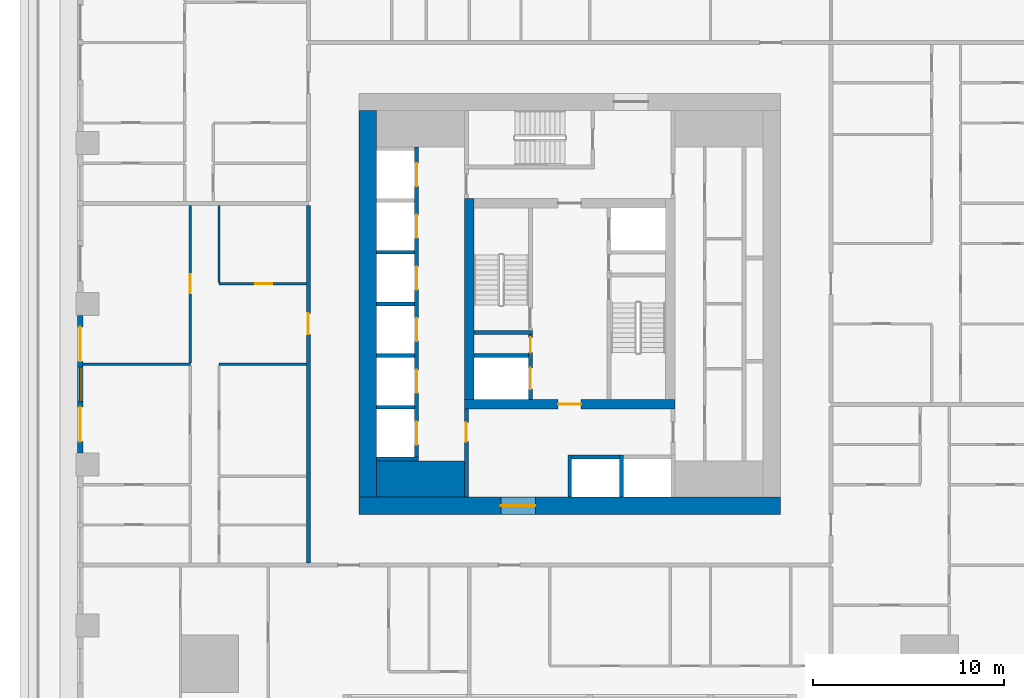
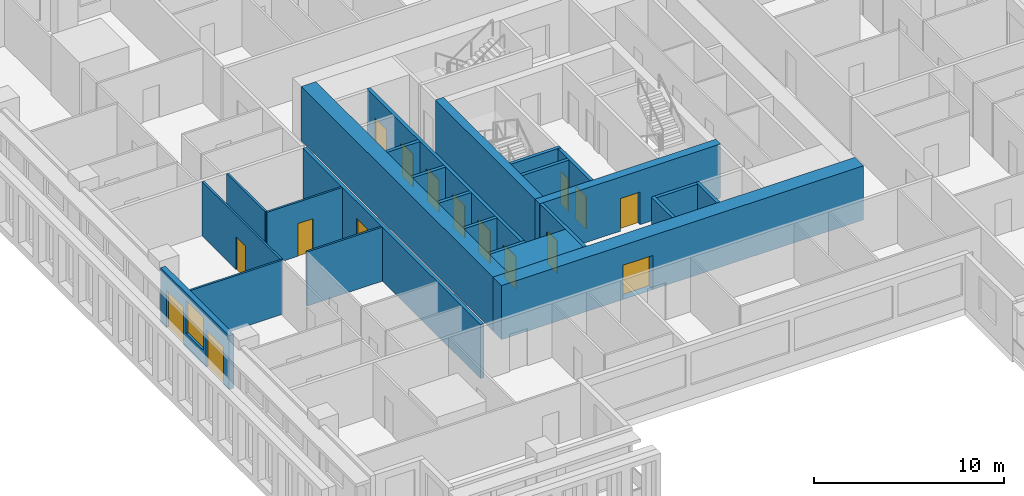
# One storey, part 3 of 14: 25 walls, 16 doors, 1 window, 17 openings.
"""IFC4 building model written with IfcOpenShell, lengths in metres."""

from ifc_helpers import new_model, si_unit, direction, frame, frame_2d, origin, place, context, subcontext, project, spatial, rectangle, extrude, material, layer, layer_set, type_object, element, fill, save


model = new_model("IFC4")

# Units and contexts
model_context = context("Model", 3, precision=1e-05, world=origin(), true_north=direction((0.0, 1.0)))
body_context = subcontext(model_context, "Body", "Model", "MODEL_VIEW")
ifc_project = project(units=[si_unit("LENGTHUNIT", "METRE"), si_unit("AREAUNIT", "SQUARE_METRE"), si_unit("VOLUMEUNIT", "CUBIC_METRE"), si_unit("PLANEANGLEUNIT", "RADIAN"), si_unit("MASSUNIT", "GRAM", prefix="KILO")], contexts=[model_context])

# Site, building, storey
site_placement = place(None, origin())
site = spatial("IfcSite", under=ifc_project, at=site_placement, CompositionType="ELEMENT")
building_placement = place(site_placement, origin())
building = spatial("IfcBuilding", under=site, at=building_placement, Name="Khepri Terraces", CompositionType="ELEMENT")
storey_placement = place(building_placement, frame((0.0, 0.0, 62.10009765625)))
storey = spatial("IfcBuildingStorey", under=building, at=storey_placement, Name="L14", CompositionType="ELEMENT", Elevation=62.10009765625)

# Walls
ifc_material_1 = material(Name="Concrete C80/95", Category="concrete")
ifc_layer_1 = layer(ifc_material_1, 1.89990234375, Name="Concrete C80/95", Category="concrete")
ifc_layer_set_1 = layer_set([ifc_layer_1], Name="Concrete C80/95")
wall_type_1 = type_object("IfcWallType", Name="Core wall 1900 C80/95", PredefinedType="SHEAR", material=ifc_layer_set_1)
wall_1_placement = place(storey_placement, frame((-10.10009765625, -9.14990234375, 0.0), z_axis=(0.0, 0.0, 1.0), x_axis=(1.0, 0.0, 0.0)))
element("IfcWall", 1, at=wall_1_placement, inside=storey, type_object=wall_type_1, Name="Core wall PR01 L14", PredefinedType="SHEAR", context=body_context, shape_type="SweptSolid", body=[
    extrude(rectangle(XDim=4.60009765625, YDim=1.89990234375, at=frame_2d((2.300048828125, 0.0))), origin(), (0.0, 0.0, 1.0), 3.47998046875),
])
ifc_layer_2 = layer(ifc_material_1, 0.199951171875, Name="Concrete C80/95", Category="concrete")
ifc_layer_set_2 = layer_set([ifc_layer_2], Name="Concrete C80/95")
wall_type_2 = type_object("IfcWallType", Name="Core wall 200 C80/95", PredefinedType="SHEAR", material=ifc_layer_set_2)
wall_2_placement = place(storey_placement, frame((-5.0, -1.5, 0.0), z_axis=(0.0, 0.0, 1.0), x_axis=(1.0, 0.0, 0.0)))
element("IfcWall", 2, at=wall_2_placement, inside=storey, type_object=wall_type_2, Name="Core wall ST02 L14", PredefinedType="SHEAR", context=body_context, shape_type="SweptSolid", body=[
    extrude(rectangle(XDim=3.050048828125, YDim=0.199951171875, at=frame_2d((1.52490234375, 0.0))), origin(), (0.0, 0.0, 1.0), 3.47998046875),
])
for number, where, z_axis, x_axis, name in (
    (3, (0.0, -10.10009765625, 0.0), (0.0, 0.0, 1.0), (0.0, 1.0, 0.0), "Core wall SH01 L14"),
    (4, (2.699951171875, -10.10009765625, 0.0), (0.0, 0.0, 1.0), (0.0, 1.0, 0.0), "Core wall SH02 L14"),
    (5, (-10.10009765625, -8.10009765625, 0.0), (0.0, 0.0, 1.0), (1.0, 0.0, 0.0), "Core wall SH04 L14"),
):
    element("IfcWall", number, at=place(storey_placement, frame(where, z_axis=z_axis, x_axis=x_axis)), inside=storey, type_object=wall_type_2, Name=name, PredefinedType="SHEAR", context=body_context, shape_type="SweptSolid", body=[
        extrude(rectangle(XDim=2.2001953125, YDim=0.199951171875, at=frame_2d((1.10009765625, 0.0))), origin(), (0.0, 0.0, 1.0), 3.47998046875),
    ])
wall_3_placement = place(storey_placement, frame((0.10009765625, -8.0, 0.0), z_axis=(0.0, 0.0, 1.0), x_axis=(1.0, 0.0, 0.0)))
element("IfcWall", 6, at=wall_3_placement, inside=storey, type_object=wall_type_2, Name="Core wall SH06 L14", PredefinedType="SHEAR", context=body_context, shape_type="SweptSolid", body=[
    extrude(rectangle(XDim=2.5, YDim=0.199951171875, at=frame_2d((1.25, 0.0))), origin(), (0.0, 0.0, 1.0), 3.47998046875),
])

# Wall, openings, doors
wall_4_placement = place(storey_placement, frame((-8.0, -8.0, 0.0), z_axis=(0.0, 0.0, 1.0), x_axis=(0.0, 1.0, 0.0)))
wall_4 = element("IfcWall", 7, at=wall_4_placement, inside=storey, type_object=wall_type_2, Name="Core wall SH08 L14", PredefinedType="SHEAR", context=body_context, shape_type="SweptSolid", body=[
    extrude(rectangle(XDim=16.199951171875, YDim=0.199951171875, at=frame_2d((8.10009765625, 0.0))), origin(), (0.0, 0.0, 1.0), 3.47998046875),
])
opening_1_placement = place(wall_4_placement, frame((0.64990234375, 0.0, 0.0)))
opening_1 = element("IfcOpeningElement", 8, at=opening_1_placement, cuts=wall_4, Name="Opening L14-C01", PredefinedType="OPENING", context=body_context, shape_type="SweptSolid", body=[
    extrude(rectangle(XDim=1.199951171875, YDim=2.10009765625, at=frame_2d((0.60009765625, 1.050048828125))), frame((0.0, 0.10986328125, 0.0), z_axis=(0.0, -1.0, 0.0), x_axis=(1.0, 0.0, 0.0)), (0.0, 0.0, 1.0), 0.219970703125),
])
opening_2_placement = place(wall_4_placement, frame((3.35009765625, 0.0, 0.0)))
opening_2 = element("IfcOpeningElement", 9, at=opening_2_placement, cuts=wall_4, Name="Opening L14-C02", PredefinedType="OPENING", context=body_context, shape_type="SweptSolid", body=[
    extrude(rectangle(XDim=1.199951171875, YDim=2.10009765625, at=frame_2d((0.60009765625, 1.050048828125))), frame((0.0, 0.10986328125, 0.0), z_axis=(0.0, -1.0, 0.0), x_axis=(1.0, 0.0, 0.0)), (0.0, 0.0, 1.0), 0.219970703125),
])
opening_3_placement = place(wall_4_placement, frame((6.050048828125, 0.0, 0.0)))
opening_3 = element("IfcOpeningElement", 10, at=opening_3_placement, cuts=wall_4, Name="Opening L14-C03", PredefinedType="OPENING", context=body_context, shape_type="SweptSolid", body=[
    extrude(rectangle(XDim=1.199951171875, YDim=2.10009765625, at=frame_2d((0.60009765625, 1.050048828125))), frame((0.0, 0.10986328125, 0.0), z_axis=(0.0, -1.0, 0.0), x_axis=(1.0, 0.0, 0.0)), (0.0, 0.0, 1.0), 0.219970703125),
])
opening_4_placement = place(wall_4_placement, frame((8.75, 0.0, 0.0)))
opening_4 = element("IfcOpeningElement", 11, at=opening_4_placement, cuts=wall_4, Name="Opening L14-C04", PredefinedType="OPENING", context=body_context, shape_type="SweptSolid", body=[
    extrude(rectangle(XDim=1.199951171875, YDim=2.10009765625, at=frame_2d((0.60009765625, 1.050048828125))), frame((0.0, 0.10986328125, 0.0), z_axis=(0.0, -1.0, 0.0), x_axis=(1.0, 0.0, 0.0)), (0.0, 0.0, 1.0), 0.219970703125),
])
opening_5_placement = place(wall_4_placement, frame((11.449951171875, 0.0, 0.0)))
opening_5 = element("IfcOpeningElement", 12, at=opening_5_placement, cuts=wall_4, Name="Opening L14-C05", PredefinedType="OPENING", context=body_context, shape_type="SweptSolid", body=[
    extrude(rectangle(XDim=1.199951171875, YDim=2.10009765625, at=frame_2d((0.60009765625, 1.050048828125))), frame((0.0, 0.10986328125, 0.0), z_axis=(0.0, -1.0, 0.0), x_axis=(1.0, 0.0, 0.0)), (0.0, 0.0, 1.0), 0.219970703125),
])
opening_6_placement = place(wall_4_placement, frame((14.14990234375, 0.0, 0.0)))
opening_6 = element("IfcOpeningElement", 13, at=opening_6_placement, cuts=wall_4, Name="Opening L14-C06", PredefinedType="OPENING", context=body_context, shape_type="SweptSolid", body=[
    extrude(rectangle(XDim=1.199951171875, YDim=2.10009765625, at=frame_2d((0.60009765625, 1.050048828125))), frame((0.0, 0.10986328125, 0.0), z_axis=(0.0, -1.0, 0.0), x_axis=(1.0, 0.0, 0.0)), (0.0, 0.0, 1.0), 0.219970703125),
])
ifc_material_2 = material(Name="Stainless steel 304", Category="steel")
door_type_1 = type_object("IfcDoorType", Name="DR-CORE-LANDING-1200", OperationType="NOTDEFINED", PredefinedType="DOOR", material=ifc_material_2)
door_1_placement = place(opening_1_placement, origin())
door_1 = element("IfcDoor", 14, at=door_1_placement, inside=storey, type_object=door_type_1, Name="Lift landing door L14-C01", OperationType="SLIDING_TO_LEFT", OverallHeight=2.10009765625, OverallWidth=1.199951171875, PredefinedType="DOOR", context=body_context, shape_type="SweptSolid", body=[
    extrude(rectangle(XDim=1.199951171875, YDim=2.10009765625, at=frame_2d((0.60009765625, 1.050048828125))), frame((0.0, 0.02490234375, 0.0), z_axis=(0.0, -1.0, 0.0), x_axis=(1.0, 0.0, 0.0)), (0.0, 0.0, 1.0), 0.050048828125),
])
fill(opening_1, door_1)
door_2_placement = place(opening_2_placement, origin())
door_2 = element("IfcDoor", 15, at=door_2_placement, inside=storey, type_object=door_type_1, Name="Lift landing door L14-C02", OperationType="SLIDING_TO_LEFT", OverallHeight=2.10009765625, OverallWidth=1.199951171875, PredefinedType="DOOR", context=body_context, shape_type="SweptSolid", body=[
    extrude(rectangle(XDim=1.199951171875, YDim=2.10009765625, at=frame_2d((0.60009765625, 1.050048828125))), frame((0.0, 0.02490234375, 0.0), z_axis=(0.0, -1.0, 0.0), x_axis=(1.0, 0.0, 0.0)), (0.0, 0.0, 1.0), 0.050048828125),
])
fill(opening_2, door_2)
door_3_placement = place(opening_3_placement, origin())
door_3 = element("IfcDoor", 16, at=door_3_placement, inside=storey, type_object=door_type_1, Name="Lift landing door L14-C03", OperationType="SLIDING_TO_LEFT", OverallHeight=2.10009765625, OverallWidth=1.199951171875, PredefinedType="DOOR", context=body_context, shape_type="SweptSolid", body=[
    extrude(rectangle(XDim=1.199951171875, YDim=2.10009765625, at=frame_2d((0.60009765625, 1.050048828125))), frame((0.0, 0.02490234375, 0.0), z_axis=(0.0, -1.0, 0.0), x_axis=(1.0, 0.0, 0.0)), (0.0, 0.0, 1.0), 0.050048828125),
])
fill(opening_3, door_3)
door_4_placement = place(opening_4_placement, origin())
door_4 = element("IfcDoor", 17, at=door_4_placement, inside=storey, type_object=door_type_1, Name="Lift landing door L14-C04", OperationType="SLIDING_TO_LEFT", OverallHeight=2.10009765625, OverallWidth=1.199951171875, PredefinedType="DOOR", context=body_context, shape_type="SweptSolid", body=[
    extrude(rectangle(XDim=1.199951171875, YDim=2.10009765625, at=frame_2d((0.60009765625, 1.050048828125))), frame((0.0, 0.02490234375, 0.0), z_axis=(0.0, -1.0, 0.0), x_axis=(1.0, 0.0, 0.0)), (0.0, 0.0, 1.0), 0.050048828125),
])
fill(opening_4, door_4)
door_5_placement = place(opening_5_placement, origin())
door_5 = element("IfcDoor", 18, at=door_5_placement, inside=storey, type_object=door_type_1, Name="Lift landing door L14-C05", OperationType="SLIDING_TO_LEFT", OverallHeight=2.10009765625, OverallWidth=1.199951171875, PredefinedType="DOOR", context=body_context, shape_type="SweptSolid", body=[
    extrude(rectangle(XDim=1.199951171875, YDim=2.10009765625, at=frame_2d((0.60009765625, 1.050048828125))), frame((0.0, 0.02490234375, 0.0), z_axis=(0.0, -1.0, 0.0), x_axis=(1.0, 0.0, 0.0)), (0.0, 0.0, 1.0), 0.050048828125),
])
fill(opening_5, door_5)
door_6_placement = place(opening_6_placement, origin())
door_6 = element("IfcDoor", 19, at=door_6_placement, inside=storey, type_object=door_type_1, Name="Lift landing door L14-C06", OperationType="SLIDING_TO_LEFT", OverallHeight=2.10009765625, OverallWidth=1.199951171875, PredefinedType="DOOR", context=body_context, shape_type="SweptSolid", body=[
    extrude(rectangle(XDim=1.199951171875, YDim=2.10009765625, at=frame_2d((0.60009765625, 1.050048828125))), frame((0.0, 0.02490234375, 0.0), z_axis=(0.0, -1.0, 0.0), x_axis=(1.0, 0.0, 0.0)), (0.0, 0.0, 1.0), 0.050048828125),
])
fill(opening_6, door_6)

# Wall
wall_5_placement = place(storey_placement, frame((-10.10009765625, -5.39990234375, 0.0), z_axis=(0.0, 0.0, 1.0), x_axis=(1.0, 0.0, 0.0)))
element("IfcWall", 20, at=wall_5_placement, inside=storey, type_object=wall_type_2, Name="Core wall SH09 L14", PredefinedType="SHEAR", context=body_context, shape_type="SweptSolid", body=[
    extrude(rectangle(XDim=2.0, YDim=0.199951171875, at=frame_2d((1.0, 0.0))), origin(), (0.0, 0.0, 1.0), 3.47998046875),
])

# Wall, openings, doors
wall_6_placement = place(storey_placement, frame((-2.050048828125, -5.0, 0.0), z_axis=(0.0, 0.0, 1.0), x_axis=(0.0, 1.0, 0.0)))
wall_6 = element("IfcWall", 21, at=wall_6_placement, inside=storey, type_object=wall_type_2, Name="Core wall SH10 L14", PredefinedType="SHEAR", context=body_context, shape_type="SweptSolid", body=[
    extrude(rectangle(XDim=3.39990234375, YDim=0.199951171875, at=frame_2d((1.699951171875, 0.0))), origin(), (0.0, 0.0, 1.0), 3.47998046875),
])
opening_7_placement = place(wall_6_placement, frame((0.550048828125, 0.0, 0.0)))
opening_7 = element("IfcOpeningElement", 22, at=opening_7_placement, cuts=wall_6, Name="Opening L14-C08", PredefinedType="OPENING", context=body_context, shape_type="SweptSolid", body=[
    extrude(rectangle(XDim=1.10009765625, YDim=2.10009765625, at=frame_2d((0.550048828125, 1.050048828125))), frame((0.0, 0.10986328125, 0.0), z_axis=(0.0, -1.0, 0.0), x_axis=(1.0, 0.0, 0.0)), (0.0, 0.0, 1.0), 0.219970703125),
])
opening_8_placement = place(wall_6_placement, frame((2.449951171875, 0.0, 0.0)))
opening_8 = element("IfcOpeningElement", 23, at=opening_8_placement, cuts=wall_6, Name="Opening L14-C12", PredefinedType="OPENING", context=body_context, shape_type="SweptSolid", body=[
    extrude(rectangle(XDim=0.800048828125, YDim=2.10009765625, at=frame_2d((0.39990234375, 1.050048828125))), frame((0.0, 0.10986328125, 0.0), z_axis=(0.0, -1.0, 0.0), x_axis=(1.0, 0.0, 0.0)), (0.0, 0.0, 1.0), 0.219970703125),
])
door_type_2 = type_object("IfcDoorType", Name="DR-CORE-FF-LANDING-1100", OperationType="NOTDEFINED", PredefinedType="DOOR", material=ifc_material_2)
door_7_placement = place(opening_7_placement, origin())
door_7 = element("IfcDoor", 24, at=door_7_placement, inside=storey, type_object=door_type_2, Name="Firefighting lift landing door L14-C08", OperationType="SLIDING_TO_LEFT", OverallHeight=2.10009765625, OverallWidth=1.10009765625, PredefinedType="DOOR", context=body_context, shape_type="SweptSolid", body=[
    extrude(rectangle(XDim=1.10009765625, YDim=2.10009765625, at=frame_2d((0.550048828125, 1.050048828125))), frame((0.0, 0.02490234375, 0.0), z_axis=(0.0, -1.0, 0.0), x_axis=(1.0, 0.0, 0.0)), (0.0, 0.0, 1.0), 0.050048828125),
])
fill(opening_7, door_7)
ifc_material_3 = material(Name="Painted steel", Category="steel")
door_type_3 = type_object("IfcDoorType", Name="DR-CORE-RISER-800", OperationType="NOTDEFINED", PredefinedType="DOOR", material=ifc_material_3)
door_8_placement = place(opening_8_placement, origin())
door_8 = element("IfcDoor", 25, at=door_8_placement, inside=storey, type_object=door_type_3, Name="Riser door L14-C12", OperationType="SINGLE_SWING_RIGHT", OverallHeight=2.10009765625, OverallWidth=0.800048828125, PredefinedType="DOOR", context=body_context, shape_type="SweptSolid", body=[
    extrude(rectangle(XDim=0.800048828125, YDim=2.10009765625, at=frame_2d((0.39990234375, 1.050048828125))), frame((0.0, 0.02490234375, 0.0), z_axis=(0.0, -1.0, 0.0), x_axis=(1.0, 0.0, 0.0)), (0.0, 0.0, 1.0), 0.050048828125),
])
fill(opening_8, door_8)

# Walls
wall_7_placement = place(storey_placement, frame((-10.10009765625, -2.699951171875, 0.0), z_axis=(0.0, 0.0, 1.0), x_axis=(1.0, 0.0, 0.0)))
element("IfcWall", 26, at=wall_7_placement, inside=storey, type_object=wall_type_2, Name="Core wall SH12 L14", PredefinedType="SHEAR", context=body_context, shape_type="SweptSolid", body=[
    extrude(rectangle(XDim=2.0, YDim=0.199951171875, at=frame_2d((1.0, 0.0))), origin(), (0.0, 0.0, 1.0), 3.47998046875),
])
wall_8_placement = place(storey_placement, frame((-5.0, -2.699951171875, 0.0), z_axis=(0.0, 0.0, 1.0), x_axis=(1.0, 0.0, 0.0)))
element("IfcWall", 27, at=wall_8_placement, inside=storey, type_object=wall_type_2, Name="Core wall SH13 L14", PredefinedType="SHEAR", context=body_context, shape_type="SweptSolid", body=[
    extrude(rectangle(XDim=2.85009765625, YDim=0.199951171875, at=frame_2d((1.425048828125, 0.0))), origin(), (0.0, 0.0, 1.0), 3.47998046875),
])
for number, where, z_axis, x_axis, name in (
    (28, (-10.10009765625, 0.0, 0.0), (0.0, 0.0, 1.0), (1.0, 0.0, 0.0), "Core wall SH14 L14"),
    (29, (-10.10009765625, 2.699951171875, 0.0), (0.0, 0.0, 1.0), (1.0, 0.0, 0.0), "Core wall SH17 L14"),
):
    element("IfcWall", number, at=place(storey_placement, frame(where, z_axis=z_axis, x_axis=x_axis)), inside=storey, type_object=wall_type_2, Name=name, PredefinedType="SHEAR", context=body_context, shape_type="SweptSolid", body=[
        extrude(rectangle(XDim=2.0, YDim=0.199951171875, at=frame_2d((1.0, 0.0))), origin(), (0.0, 0.0, 1.0), 3.47998046875),
    ])

# Wall, opening, door
ifc_layer_3 = layer(ifc_material_1, 0.5, Name="Concrete C80/95", Category="concrete")
ifc_layer_set_3 = layer_set([ifc_layer_3], Name="Concrete C80/95")
wall_type_3 = type_object("IfcWallType", Name="Core wall 500 C80/95", PredefinedType="SHEAR", material=ifc_layer_set_3)
wall_9_placement = place(storey_placement, frame((-5.5, -5.25, 0.0), z_axis=(0.0, 0.0, 1.0), x_axis=(1.0, 0.0, 0.0)))
wall_9 = element("IfcWall", 30, at=wall_9_placement, inside=storey, type_object=wall_type_3, Name="Core wall BX01 L14", PredefinedType="SHEAR", context=body_context, shape_type="SweptSolid", body=[
    extrude(rectangle(XDim=11.0, YDim=0.5, at=frame_2d((5.5, 0.0))), origin(), (0.0, 0.0, 1.0), 3.47998046875),
])
opening_9_placement = place(wall_9_placement, frame((4.89990234375, 0.0, 0.0)))
opening_9 = element("IfcOpeningElement", 31, at=opening_9_placement, cuts=wall_9, Name="Opening L14-C14", PredefinedType="OPENING", context=body_context, shape_type="SweptSolid", body=[
    extrude(rectangle(XDim=1.199951171875, YDim=2.10009765625, at=frame_2d((0.60009765625, 1.050048828125))), frame((0.0, 0.260009765625, 0.0), z_axis=(0.0, -1.0, 0.0), x_axis=(1.0, 0.0, 0.0)), (0.0, 0.0, 1.0), 0.52001953125),
])
door_type_4 = type_object("IfcDoorType", Name="DR-CORE-FF-LOBBY-1200", OperationType="NOTDEFINED", PredefinedType="DOOR", material=ifc_material_3)
door_9_placement = place(opening_9_placement, origin())
door_9 = element("IfcDoor", 32, at=door_9_placement, inside=storey, type_object=door_type_4, Name="Firefighting lobby door L14-C14", OperationType="SINGLE_SWING_RIGHT", OverallHeight=2.10009765625, OverallWidth=1.199951171875, PredefinedType="DOOR", context=body_context, shape_type="SweptSolid", body=[
    extrude(rectangle(XDim=1.199951171875, YDim=2.10009765625, at=frame_2d((0.60009765625, 1.050048828125))), frame((0.0, 0.02490234375, 0.0), z_axis=(0.0, -1.0, 0.0), x_axis=(1.0, 0.0, 0.0)), (0.0, 0.0, 1.0), 0.050048828125),
])
fill(opening_9, door_9)

# Wall
wall_10_placement = place(storey_placement, frame((-5.25, -5.0, 0.0), z_axis=(0.0, 0.0, 1.0), x_axis=(0.0, 1.0, 0.0)))
element("IfcWall", 33, at=wall_10_placement, inside=storey, type_object=wall_type_3, Name="Core wall BX02 L14", PredefinedType="SHEAR", context=body_context, shape_type="SweptSolid", body=[
    extrude(rectangle(XDim=10.5, YDim=0.5, at=frame_2d((5.25, 0.0))), origin(), (0.0, 0.0, 1.0), 3.47998046875),
])

# Wall, opening, door
ifc_layer_4 = layer(ifc_material_1, 0.89990234375, Name="Concrete C80/95", Category="concrete")
ifc_layer_set_4 = layer_set([ifc_layer_4], Name="Concrete C80/95")
wall_type_4 = type_object("IfcWallType", Name="Core wall 900 C80/95", PredefinedType="SHEAR", material=ifc_layer_set_4)
wall_11_placement = place(storey_placement, frame((-11.0, -10.550048828125, 0.0), z_axis=(0.0, 0.0, 1.0), x_axis=(1.0, 0.0, 0.0)))
wall_11 = element("IfcWall", 34, at=wall_11_placement, inside=storey, type_object=wall_type_4, Name="Core wall OW-S L14", PredefinedType="SHEAR", context=body_context, shape_type="SweptSolid", body=[
    extrude(rectangle(XDim=22.0, YDim=0.89990234375, at=frame_2d((11.0, 0.0))), origin(), (0.0, 0.0, 1.0), 3.47998046875),
])
opening_10_placement = place(wall_11_placement, frame((7.39990234375, 0.0, 0.0)))
opening_10 = element("IfcOpeningElement", 35, at=opening_10_placement, cuts=wall_11, Name="Opening L14-C21", PredefinedType="OPENING", context=body_context, shape_type="SweptSolid", body=[
    extrude(rectangle(XDim=1.800048828125, YDim=2.199951171875, at=frame_2d((0.89990234375, 1.10009765625))), frame((0.0, 0.4599609375, 0.0), z_axis=(0.0, -1.0, 0.0), x_axis=(1.0, 0.0, 0.0)), (0.0, 0.0, 1.0), 0.919921875),
])
door_type_5 = type_object("IfcDoorType", Name="DR-CORE-ENTRANCE-1800", OperationType="NOTDEFINED", PredefinedType="DOOR", material=ifc_material_3)
door_10_placement = place(opening_10_placement, frame((1.800048828125, 0.0, 0.0), z_axis=(0.0, 0.0, 1.0), x_axis=(-1.0, 0.0, 0.0)))
door_10 = element("IfcDoor", 36, at=door_10_placement, inside=storey, type_object=door_type_5, Name="Core entrance door pair L14-C21", OperationType="DOUBLE_DOOR_SINGLE_SWING", OverallHeight=2.199951171875, OverallWidth=1.800048828125, PredefinedType="DOOR", context=body_context, shape_type="SweptSolid", body=[
    extrude(rectangle(XDim=1.800048828125, YDim=2.199951171875, at=frame_2d((0.89990234375, 1.10009765625))), frame((0.0, 0.02490234375, 0.0), z_axis=(0.0, -1.0, 0.0), x_axis=(1.0, 0.0, 0.0)), (0.0, 0.0, 1.0), 0.050048828125),
])
fill(opening_10, door_10)

# Wall
wall_12_placement = place(storey_placement, frame((-10.550048828125, -10.10009765625, 0.0), z_axis=(0.0, 0.0, 1.0), x_axis=(0.0, 1.0, 0.0)))
element("IfcWall", 37, at=wall_12_placement, inside=storey, type_object=wall_type_4, Name="Core wall OW-W L14", PredefinedType="SHEAR", context=body_context, shape_type="SweptSolid", body=[
    extrude(rectangle(XDim=20.2001953125, YDim=0.89990234375, at=frame_2d((10.10009765625, 0.0))), origin(), (0.0, 0.0, 1.0), 3.47998046875),
])

# Wall, opening, door
ifc_material_4 = material(Name="Fire-rated gypsum board partition")
ifc_layer_5 = layer(ifc_material_4, 0.199951171875, Name="Fire-rated gypsum board partition")
ifc_layer_set_5 = layer_set([ifc_layer_5], Name="Fire-rated gypsum board partition")
wall_type_5 = type_object("IfcWallType", Name="WL-CORE-PART-200", PredefinedType="PARTITIONING", material=ifc_layer_set_5)
wall_13_placement = place(storey_placement, frame((-5.39990234375, -10.10009765625, 0.0), z_axis=(0.0, 0.0, 1.0), x_axis=(0.0, 1.0, 0.0)))
wall_13 = element("IfcWall", 38, at=wall_13_placement, inside=storey, type_object=wall_type_5, Name="Core partition PT01 L14", PredefinedType="PARTITIONING", context=body_context, shape_type="SweptSolid", body=[
    extrude(rectangle(XDim=4.60009765625, YDim=0.199951171875, at=frame_2d((2.300048828125, 0.0))), origin(), (0.0, 0.0, 1.0), 3.47998046875),
])
opening_11_placement = place(wall_13_placement, frame((2.89990234375, 0.0, 0.0)))
opening_11 = element("IfcOpeningElement", 39, at=opening_11_placement, cuts=wall_13, Name="Opening L14-C18", PredefinedType="OPENING", context=body_context, shape_type="SweptSolid", body=[
    extrude(rectangle(XDim=1.0, YDim=2.10009765625, at=frame_2d((0.5, 1.050048828125))), frame((0.0, 0.10986328125, 0.0), z_axis=(0.0, -1.0, 0.0), x_axis=(1.0, 0.0, 0.0)), (0.0, 0.0, 1.0), 0.219970703125),
])
door_type_6 = type_object("IfcDoorType", Name="DR-CORE-LOBBY-1000", OperationType="NOTDEFINED", PredefinedType="DOOR", material=ifc_material_3)
door_11_placement = place(opening_11_placement, frame((1.0, 0.0, 0.0), z_axis=(0.0, 0.0, 1.0), x_axis=(-1.0, 0.0, 0.0)))
door_11 = element("IfcDoor", 40, at=door_11_placement, inside=storey, type_object=door_type_6, Name="Lobby door L14-C18", OperationType="SINGLE_SWING_LEFT", OverallHeight=2.10009765625, OverallWidth=1.0, PredefinedType="DOOR", context=body_context, shape_type="SweptSolid", body=[
    extrude(rectangle(XDim=1.0, YDim=2.10009765625, at=frame_2d((0.5, 1.050048828125))), frame((0.0, 0.02490234375, 0.0), z_axis=(0.0, -1.0, 0.0), x_axis=(1.0, 0.0, 0.0)), (0.0, 0.0, 1.0), 0.050048828125),
])
fill(opening_11, door_11)

ifc_material_5 = material(Name="Fire-rated gypsum plasterboard partition, mineral wool")
ifc_layer_6 = layer(ifc_material_5, 0.199951171875, Name="Fire-rated gypsum plasterboard partition, mineral wool")
ifc_layer_set_6 = layer_set([ifc_layer_6], Name="Fire-rated gypsum plasterboard partition, mineral wool")
wall_type_6 = type_object("IfcWallType", Name="WL-CORR-200", PredefinedType="PARTITIONING", material=ifc_layer_set_6)
wall_14_placement = place(storey_placement, frame((-13.64990234375, -13.550048828125, 0.0), z_axis=(0.0, 0.0, 1.0), x_axis=(0.0, 1.0, 0.0)))
wall_14 = element("IfcWall", 41, at=wall_14_placement, inside=storey, type_object=wall_type_6, Name="Partition P-023 L14", PredefinedType="PARTITIONING", context=body_context, shape_type="SweptSolid", body=[
    extrude(rectangle(XDim=18.699951171875, YDim=0.199951171875, at=frame_2d((9.35009765625, 0.0))), origin(), (0.0, 0.0, 1.0), 3.47998046875),
])
opening_12_placement = place(wall_14_placement, frame((11.949951171875, 0.0, 0.0)))
opening_12 = element("IfcOpeningElement", 42, at=opening_12_placement, cuts=wall_14, Name="Opening D1", PredefinedType="OPENING", context=body_context, shape_type="SweptSolid", body=[
    extrude(rectangle(XDim=1.10009765625, YDim=2.39990234375, at=frame_2d((0.550048828125, 1.199951171875))), frame((0.0, 0.10986328125, 0.0), z_axis=(0.0, -1.0, 0.0), x_axis=(1.0, 0.0, 0.0)), (0.0, 0.0, 1.0), 0.219970703125),
])
ifc_material_6 = material(Name="Solid-core timber door leaf, flat entrance door", Category="wood")
door_type_7 = type_object("IfcDoorType", Name="DR-ENT-1100", OperationType="NOTDEFINED", PredefinedType="DOOR", material=ifc_material_6)
door_12_placement = place(opening_12_placement, origin())
door_12 = element("IfcDoor", 43, at=door_12_placement, inside=storey, type_object=door_type_7, Name="Flat D2 entrance door", OperationType="SINGLE_SWING_RIGHT", OverallHeight=2.39990234375, OverallWidth=1.10009765625, PredefinedType="DOOR", context=body_context, shape_type="SweptSolid", body=[
    extrude(rectangle(XDim=1.10009765625, YDim=2.39990234375, at=frame_2d((0.550048828125, 1.199951171875))), frame((0.0, 0.02490234375, 0.0), z_axis=(0.0, -1.0, 0.0), x_axis=(1.0, 0.0, 0.0)), (0.0, 0.0, 1.0), 0.050048828125),
])
fill(opening_12, door_12)

# Wall, openings, doors, window
ifc_material_7 = material(Name="Precast concrete C50/60 warm stone", Category="masonry")
ifc_layer_7 = layer(ifc_material_7, 0.300048828125, Name="Precast concrete C50/60 warm stone", Category="masonry")
ifc_layer_set_7 = layer_set([ifc_layer_7], Name="Precast concrete C50/60 warm stone")
wall_type_7 = type_object("IfcWallType", Name="WL-EXT-PRECAST-300", PredefinedType="STANDARD", material=ifc_layer_set_7)
wall_15_placement = place(storey_placement, frame((-25.570068359375, -0.60009765625, 0.0), z_axis=(0.0, 0.0, 1.0), x_axis=(0.0, -1.0, 0.0)))
wall_15 = element("IfcWall", 44, at=wall_15_placement, inside=storey, type_object=wall_type_7, Name="External wall L14 W", PredefinedType="STANDARD", context=body_context, shape_type="SweptSolid", body=[
    extrude(rectangle(XDim=7.199951171875, YDim=0.300048828125, at=frame_2d((3.60009765625, 0.0))), origin(), (0.0, 0.0, 1.0), 3.47998046875),
])
opening_13_placement = place(wall_15_placement, frame((0.60009765625, 0.0, 0.0)))
opening_13 = element("IfcOpeningElement", 45, at=opening_13_placement, cuts=wall_15, Name="Opening ED-L14-16", PredefinedType="OPENING", context=body_context, shape_type="SweptSolid", body=[
    extrude(rectangle(XDim=1.800048828125, YDim=2.39990234375, at=frame_2d((0.89990234375, 1.199951171875))), frame((0.0, 0.16015625, 0.0), z_axis=(0.0, -1.0, 0.0), x_axis=(1.0, 0.0, 0.0)), (0.0, 0.0, 1.0), 0.320068359375),
])
opening_14_placement = place(wall_15_placement, frame((2.699951171875, 0.0, 0.89990234375)))
opening_14 = element("IfcOpeningElement", 46, at=opening_14_placement, cuts=wall_15, Name="Opening W1", PredefinedType="OPENING", context=body_context, shape_type="SweptSolid", body=[
    extrude(rectangle(XDim=1.800048828125, YDim=2.10009765625, at=frame_2d((0.89990234375, 1.050048828125))), frame((0.0, 0.16015625, 0.0), z_axis=(0.0, -1.0, 0.0), x_axis=(1.0, 0.0, 0.0)), (0.0, 0.0, 1.0), 0.320068359375),
])
opening_15_placement = place(wall_15_placement, frame((4.800048828125, 0.0, 0.0)))
opening_15 = element("IfcOpeningElement", 47, at=opening_15_placement, cuts=wall_15, Name="Opening ED-L14-17", PredefinedType="OPENING", context=body_context, shape_type="SweptSolid", body=[
    extrude(rectangle(XDim=1.800048828125, YDim=2.39990234375, at=frame_2d((0.89990234375, 1.199951171875))), frame((0.0, 0.16015625, 0.0), z_axis=(0.0, -1.0, 0.0), x_axis=(1.0, 0.0, 0.0)), (0.0, 0.0, 1.0), 0.320068359375),
])
ifc_material_8 = material(Name="Anodised aluminium bronze glazed door", Category="aluminium")
door_type_8 = type_object("IfcDoorType", Name="DR-BAL-SLIDE-1800x2400", OperationType="NOTDEFINED", PredefinedType="DOOR", material=ifc_material_8)
door_13_placement = place(opening_13_placement, origin())
door_13 = element("IfcDoor", 48, at=door_13_placement, inside=storey, type_object=door_type_8, Name="Balcony door L14 W", OperationType="SLIDING_TO_LEFT", OverallHeight=2.39990234375, OverallWidth=1.800048828125, PredefinedType="DOOR", context=body_context, shape_type="SweptSolid", body=[
    extrude(rectangle(XDim=1.800048828125, YDim=2.39990234375, at=frame_2d((0.89990234375, 1.199951171875))), frame((0.0, 0.02490234375, 0.0), z_axis=(0.0, -1.0, 0.0), x_axis=(1.0, 0.0, 0.0)), (0.0, 0.0, 1.0), 0.050048828125),
])
fill(opening_13, door_13)
door_14_placement = place(opening_15_placement, origin())
door_14 = element("IfcDoor", 49, at=door_14_placement, inside=storey, type_object=door_type_8, Name="Balcony door L14 W", OperationType="SLIDING_TO_RIGHT", OverallHeight=2.39990234375, OverallWidth=1.800048828125, PredefinedType="DOOR", context=body_context, shape_type="SweptSolid", body=[
    extrude(rectangle(XDim=1.800048828125, YDim=2.39990234375, at=frame_2d((0.89990234375, 1.199951171875))), frame((0.0, 0.02490234375, 0.0), z_axis=(0.0, -1.0, 0.0), x_axis=(1.0, 0.0, 0.0)), (0.0, 0.0, 1.0), 0.050048828125),
])
fill(opening_15, door_14)
ifc_material_9 = material(Name="Clear glass", Category="glass")
window_type = type_object("IfcWindowType", Name="WIN-RES-1800x2100", PartitioningType="SINGLE_PANEL", PredefinedType="WINDOW", material=ifc_material_9)
window_placement = place(opening_14_placement, origin())
window = element("IfcWindow", 50, at=window_placement, inside=storey, type_object=window_type, Name="Window L14 W", OverallHeight=2.10009765625, OverallWidth=1.800048828125, PartitioningType="SINGLE_PANEL", PredefinedType="WINDOW", context=body_context, shape_type="SweptSolid", body=[
    extrude(rectangle(XDim=1.800048828125, YDim=2.10009765625, at=frame_2d((0.89990234375, 1.050048828125))), frame((0.0, 0.030029296875, 0.0), z_axis=(0.0, -1.0, 0.0), x_axis=(1.0, 0.0, 0.0)), (0.0, 0.0, 1.0), 0.06005859375),
])
fill(opening_14, window)

# Walls
ifc_material_10 = material(Name="Gypsum plasterboard partition")
ifc_layer_8 = layer(ifc_material_10, 0.1201171875, Name="Gypsum plasterboard partition")
ifc_layer_set_8 = layer_set([ifc_layer_8], Name="Gypsum plasterboard partition")
wall_type_8 = type_object("IfcWallType", Name="WL-PART-120", PredefinedType="PARTITIONING", material=ifc_layer_set_8)
wall_16_placement = place(storey_placement, frame((-25.419921875, -3.14990234375, 0.0), z_axis=(0.0, 0.0, 1.0), x_axis=(1.0, 0.0, 0.0)))
element("IfcWall", 51, at=wall_16_placement, inside=storey, type_object=wall_type_8, Name="Partition P-045 L14", PredefinedType="PARTITIONING", context=body_context, shape_type="SweptSolid", body=[
    extrude(rectangle(XDim=5.599853515625, YDim=0.1201171875, at=frame_2d((2.7998046875, 0.0))), origin(), (0.0, 0.0, 1.0), 3.47998046875),
])
wall_17_placement = place(storey_placement, frame((-18.320068359375, -3.14990234375, 0.0), z_axis=(0.0, 0.0, 1.0), x_axis=(1.0, 0.0, 0.0)))
element("IfcWall", 52, at=wall_17_placement, inside=storey, type_object=wall_type_8, Name="Partition P-046 L14", PredefinedType="PARTITIONING", context=body_context, shape_type="SweptSolid", body=[
    extrude(rectangle(XDim=4.570068359375, YDim=0.1201171875, at=frame_2d((2.28515625, 0.0))), origin(), (0.0, 0.0, 1.0), 3.47998046875),
])

# Wall, opening, door
wall_18_placement = place(storey_placement, frame((-19.820068359375, -3.090087890625, 0.0), z_axis=(0.0, 0.0, 1.0), x_axis=(0.0, 1.0, 0.0)))
wall_18 = element("IfcWall", 53, at=wall_18_placement, inside=storey, type_object=wall_type_8, Name="Partition P-047 L14", PredefinedType="PARTITIONING", context=body_context, shape_type="SweptSolid", body=[
    extrude(rectangle(XDim=8.239990234375, YDim=0.1201171875, at=frame_2d((4.1201171875, 0.0))), origin(), (0.0, 0.0, 1.0), 3.47998046875),
])
opening_16_placement = place(wall_18_placement, frame((3.639892578125, 0.0, 0.0)))
opening_16 = element("IfcOpeningElement", 54, at=opening_16_placement, cuts=wall_18, Name="Opening D2", PredefinedType="OPENING", context=body_context, shape_type="SweptSolid", body=[
    extrude(rectangle(XDim=1.0, YDim=2.10009765625, at=frame_2d((0.5, 1.050048828125))), frame((0.0, 0.070068359375, 0.0), z_axis=(0.0, -1.0, 0.0), x_axis=(1.0, 0.0, 0.0)), (0.0, 0.0, 1.0), 0.14013671875),
])
ifc_material_11 = material(Name="Timber door leaf, living room door", Category="wood")
door_type_9 = type_object("IfcDoorType", Name="DR-INT-1000", OperationType="NOTDEFINED", PredefinedType="DOOR", material=ifc_material_11)
door_15_placement = place(opening_16_placement, origin())
door_15 = element("IfcDoor", 55, at=door_15_placement, inside=storey, type_object=door_type_9, Name="Door Living Room", OperationType="SINGLE_SWING_RIGHT", OverallHeight=2.10009765625, OverallWidth=1.0, PredefinedType="DOOR", context=body_context, shape_type="SweptSolid", body=[
    extrude(rectangle(XDim=1.0, YDim=2.10009765625, at=frame_2d((0.5, 1.050048828125))), frame((0.0, 0.02490234375, 0.0), z_axis=(0.0, -1.0, 0.0), x_axis=(1.0, 0.0, 0.0)), (0.0, 0.0, 1.0), 0.050048828125),
])
fill(opening_16, door_15)

wall_19_placement = place(storey_placement, frame((-18.320068359375, 1.050048828125, 0.0), z_axis=(0.0, 0.0, 1.0), x_axis=(1.0, 0.0, 0.0)))
wall_19 = element("IfcWall", 56, at=wall_19_placement, inside=storey, type_object=wall_type_8, Name="Partition P-051 L14", PredefinedType="PARTITIONING", context=body_context, shape_type="SweptSolid", body=[
    extrude(rectangle(XDim=4.570068359375, YDim=0.1201171875, at=frame_2d((2.28515625, 0.0))), origin(), (0.0, 0.0, 1.0), 3.47998046875),
])
opening_17_placement = place(wall_19_placement, frame((1.885009765625, 0.0, 0.0)))
opening_17 = element("IfcOpeningElement", 57, at=opening_17_placement, cuts=wall_19, Name="Opening D3", PredefinedType="OPENING", context=body_context, shape_type="SweptSolid", body=[
    extrude(rectangle(XDim=0.89990234375, YDim=2.10009765625, at=frame_2d((0.449951171875, 1.050048828125))), frame((0.0, 0.070068359375, 0.0), z_axis=(0.0, -1.0, 0.0), x_axis=(1.0, 0.0, 0.0)), (0.0, 0.0, 1.0), 0.14013671875),
])
ifc_material_12 = material(Name="Timber door leaf", Category="wood")
door_type_10 = type_object("IfcDoorType", Name="DR-INT-900", OperationType="NOTDEFINED", PredefinedType="DOOR", material=ifc_material_12)
door_16_placement = place(opening_17_placement, origin())
door_16 = element("IfcDoor", 58, at=door_16_placement, inside=storey, type_object=door_type_10, Name="Door Utility Room", OperationType="SINGLE_SWING_RIGHT", OverallHeight=2.10009765625, OverallWidth=0.89990234375, PredefinedType="DOOR", context=body_context, shape_type="SweptSolid", body=[
    extrude(rectangle(XDim=0.89990234375, YDim=2.10009765625, at=frame_2d((0.449951171875, 1.050048828125))), frame((0.0, 0.02490234375, 0.0), z_axis=(0.0, -1.0, 0.0), x_axis=(1.0, 0.0, 0.0)), (0.0, 0.0, 1.0), 0.050048828125),
])
fill(opening_17, door_16)

# Wall
wall_20_placement = place(storey_placement, frame((-18.320068359375, 1.110107421875, 0.0), z_axis=(0.0, 0.0, 1.0), x_axis=(0.0, 1.0, 0.0)))
element("IfcWall", 59, at=wall_20_placement, inside=storey, type_object=wall_type_8, Name="Partition P-052 L14", PredefinedType="PARTITIONING", context=body_context, shape_type="SweptSolid", body=[
    extrude(rectangle(XDim=4.039794921875, YDim=0.1201171875, at=frame_2d((2.02001953125, 0.0))), origin(), (0.0, 0.0, 1.0), 3.47998046875),
])

save(model, "model.ifc")
